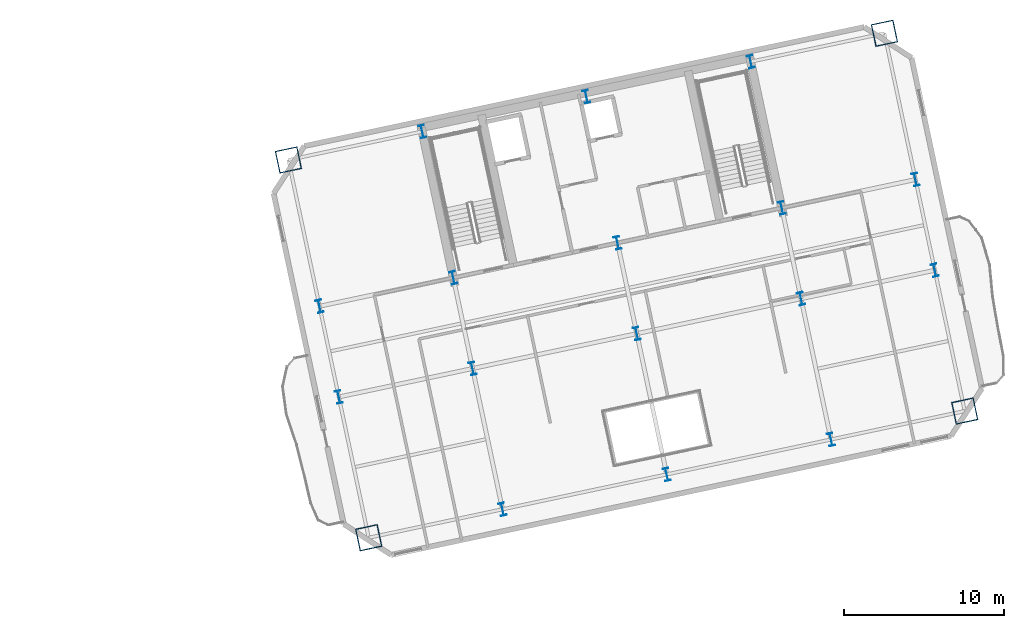
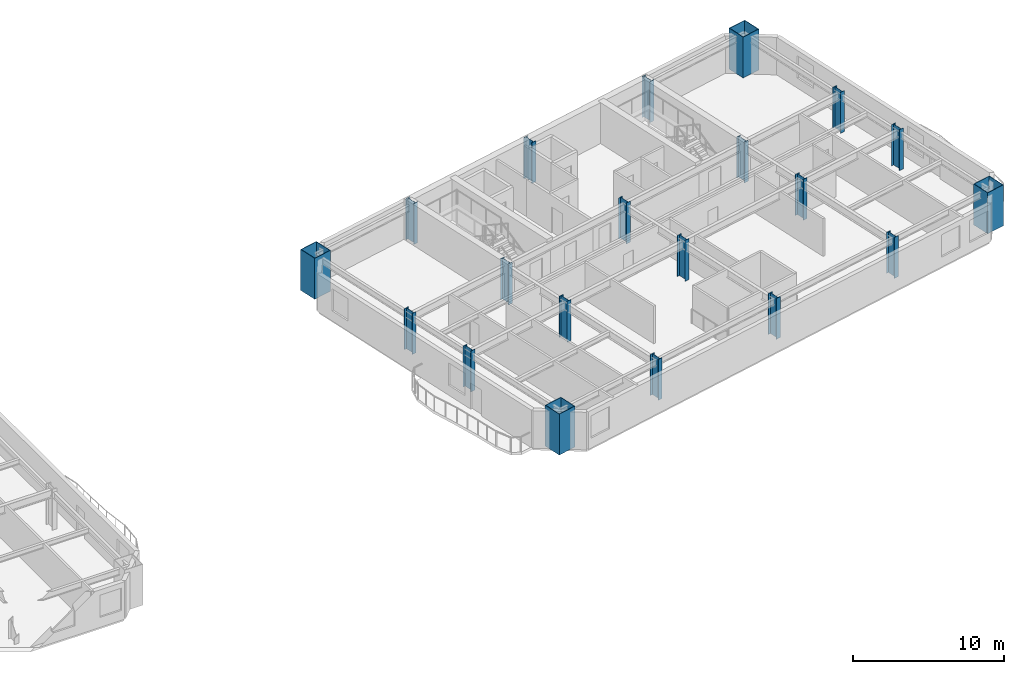
# One storey, part 2 of 13: 20 columns.
"""IFC4 building model written with IfcOpenShell, lengths in metres."""

from ifc_helpers import new_model, si_unit, direction, frame, origin, origin_2d, place, context, subcontext, project, spatial, hollow_rectangle, i_section, extrude, material, material_profile, profile_set, type_object, element, save


model = new_model("IFC4")

# Units and contexts
model_context = context("Model", 3, precision=1e-05, world=origin(), true_north=direction((0.0, 1.0)))
body_context = subcontext(model_context, "Body", "Model", "MODEL_VIEW")
ifc_project = project(units=[si_unit("LENGTHUNIT", "METRE"), si_unit("AREAUNIT", "SQUARE_METRE"), si_unit("VOLUMEUNIT", "CUBIC_METRE"), si_unit("PLANEANGLEUNIT", "RADIAN"), si_unit("MASSUNIT", "GRAM", prefix="KILO")], contexts=[model_context])

# Site, building, storey
site_placement = place(None, origin())
site = spatial("IfcSite", under=ifc_project, at=site_placement, CompositionType="ELEMENT")
building_placement = place(site_placement, origin())
building = spatial("IfcBuilding", under=site, at=building_placement, Name="Haevon Station Towers", CompositionType="ELEMENT")
storey_placement = place(building_placement, frame((0.0, 0.0, 96.60009765625)))
storey = spatial("IfcBuildingStorey", under=building, at=storey_placement, Name="L25", CompositionType="ELEMENT", Elevation=96.60009765625)

# Columns
ifc_material = material(Name="Steel S460", Category="steel")
ifc_material_profile_1 = material_profile(ifc_material, hollow_rectangle(XDim=1.39990234375, YDim=1.39990234375, WallThickness=0.035888671875, at=origin_2d()), Name="BOX-1400x1400x36")
ifc_profile_set_1 = profile_set([ifc_material_profile_1], Name="Steel S460")
column_type_1 = type_object("IfcColumnType", Name="COL-MC3", PredefinedType="COLUMN", material=ifc_profile_set_1)
for number, where, z_axis, x_axis, name in (
    (1, (93.46630859375, 21.188232421875, 0.0), (0.0, 0.0, 1.0), (0.978147600734, 0.207911690818, 0.0), "COL-T2-L25-01-01"),
    (2, (88.4453125, 44.810546875, 0.0), (0.0, 0.0, 1.0), (0.978147600734, 0.207911690818, 0.0), "COL-T2-L25-01-04"),
    (3, (130.733642578125, 29.109619140625, 0.0), (0.0, 0.0, 1.0), (0.978147600734, 0.207911690818, 0.0), "COL-T2-L25-05-01"),
    (4, (125.712646484375, 52.73193359375, 0.0), (0.0, 0.0, 1.0), (0.978147600734, 0.207911690818, 0.0), "COL-T2-L25-05-04"),
):
    element("IfcColumn", number, at=place(storey_placement, frame(where, z_axis=z_axis, x_axis=x_axis)), inside=storey, type_object=column_type_1, Name=name, PredefinedType="COLUMN", context=body_context, shape_type="SweptSolid", body=[
        extrude(hollow_rectangle(XDim=1.39990234375, YDim=1.39990234375, WallThickness=0.035888671875, at=origin_2d()), origin(), (0.0, 0.0, 1.0), 3.2998046875),
    ])
ifc_material_profile_2 = material_profile(ifc_material, i_section(OverallWidth=0.35009765625, OverallDepth=0.800048828125, WebThickness=0.01806640625, FlangeThickness=0.031982421875, at=origin_2d()), Name="H-800x350x18x32")
ifc_profile_set_2 = profile_set([ifc_material_profile_2], Name="Steel S460")
column_type_2 = type_object("IfcColumnType", Name="COL-TW2", PredefinedType="COLUMN", material=ifc_profile_set_2)
for number, where, z_axis, x_axis, name in (
    (5, (91.594970703125, 29.991455078125, 0.0), (0.0, 0.0, 1.0), (0.978147600734, 0.207911690818, 0.0), "COL-T2-L25-01-02"),
    (6, (90.38916015625, 35.664794921875, 0.0), (0.0, 0.0, 1.0), (0.978147600734, 0.207911690818, 0.0), "COL-T2-L25-01-03"),
    (7, (101.829345703125, 22.9658203125, 0.0), (0.0, 0.0, 1.0), (0.978147600734, 0.207911690818, 0.0), "COL-T2-L25-02-01"),
    (8, (99.958251953125, 31.76904296875, 0.0), (0.0, 0.0, 1.0), (0.978147600734, 0.207911690818, 0.0), "COL-T2-L25-02-02"),
    (9, (98.75244140625, 37.4423828125, 0.0), (0.0, 0.0, 1.0), (0.978147600734, 0.207911690818, 0.0), "COL-T2-L25-02-03"),
    (10, (96.808349609375, 46.588134765625, 0.0), (0.0, 0.0, 1.0), (0.978147600734, 0.207911690818, 0.0), "COL-T2-L25-02-04"),
    (11, (112.10009765625, 25.14892578125, 0.0), (0.0, 0.0, 1.0), (0.978147600734, 0.207911690818, 0.0), "COL-T2-L25-03-01"),
    (12, (110.228759765625, 33.9521484375, 0.0), (0.0, 0.0, 1.0), (0.978147600734, 0.207911690818, 0.0), "COL-T2-L25-03-02"),
    (13, (109.02294921875, 39.62548828125, 0.0), (0.0, 0.0, 1.0), (0.978147600734, 0.207911690818, 0.0), "COL-T2-L25-03-03"),
    (14, (107.078857421875, 48.771240234375, 0.0), (0.0, 0.0, 1.0), (0.978147600734, 0.207911690818, 0.0), "COL-T2-L25-03-04"),
    (15, (122.37060546875, 27.33203125, 0.0), (0.0, 0.0, 1.0), (0.978147600734, 0.207911690818, 0.0), "COL-T2-L25-04-01"),
    (16, (120.499267578125, 36.13525390625, 0.0), (0.0, 0.0, 1.0), (0.978147600734, 0.207911690818, 0.0), "COL-T2-L25-04-02"),
    (17, (119.29345703125, 41.80859375, 0.0), (0.0, 0.0, 1.0), (0.978147600734, 0.207911690818, 0.0), "COL-T2-L25-04-03"),
    (18, (117.349365234375, 50.954345703125, 0.0), (0.0, 0.0, 1.0), (0.978147600734, 0.207911690818, 0.0), "COL-T2-L25-04-04"),
    (19, (128.862548828125, 37.912841796875, 0.0), (0.0, 0.0, 1.0), (0.978147600734, 0.207911690818, 0.0), "COL-T2-L25-05-02"),
    (20, (127.656494140625, 43.586181640625, 0.0), (0.0, 0.0, 1.0), (0.978147600734, 0.207911690818, 0.0), "COL-T2-L25-05-03"),
):
    element("IfcColumn", number, at=place(storey_placement, frame(where, z_axis=z_axis, x_axis=x_axis)), inside=storey, type_object=column_type_2, Name=name, PredefinedType="COLUMN", context=body_context, shape_type="SweptSolid", body=[
        extrude(i_section(OverallWidth=0.35009765625, OverallDepth=0.800048828125, WebThickness=0.01806640625, FlangeThickness=0.031982421875, at=origin_2d()), origin(), (0.0, 0.0, 1.0), 3.2998046875),
    ])

save(model, "model.ifc")
